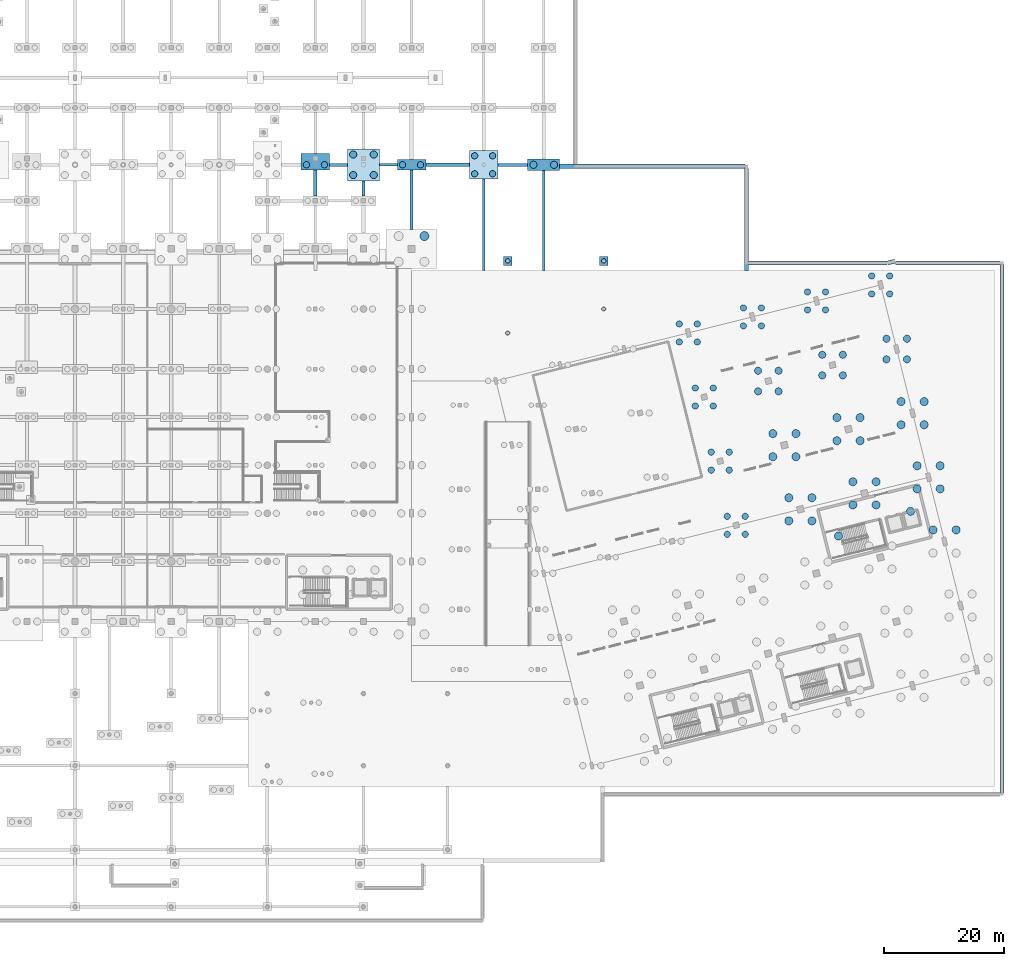
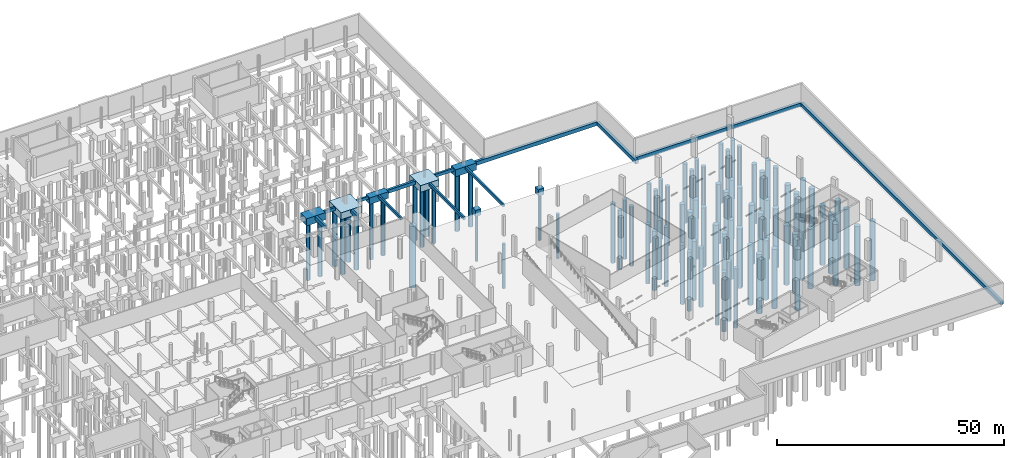
# One storey, part 11 of 65: 87 piles, 22 footings.
"""IFC4 building model written with IfcOpenShell, lengths in metres."""

from ifc_helpers import new_model, si_unit, direction, frame, origin, origin_2d, place, context, subcontext, project, spatial, rectangle, circle, extrude, material, material_profile, profile_set, type_object, element, save


model = new_model("IFC4")

# Units and contexts
model_context = context("Model", 3, precision=1e-05, world=origin(), true_north=direction((0.0, 1.0)))
body_context = subcontext(model_context, "Body", "Model", "MODEL_VIEW")
ifc_project = project(units=[si_unit("LENGTHUNIT", "METRE"), si_unit("AREAUNIT", "SQUARE_METRE"), si_unit("VOLUMEUNIT", "CUBIC_METRE"), si_unit("PLANEANGLEUNIT", "RADIAN"), si_unit("MASSUNIT", "GRAM", prefix="KILO")], contexts=[model_context])

# Site, building, storey
site_placement = place(None, origin())
site = spatial("IfcSite", under=ifc_project, at=site_placement, CompositionType="ELEMENT")
building_placement = place(site_placement, origin())
building = spatial("IfcBuilding", under=site, at=building_placement, Name="Khorjan Park Terminus", CompositionType="ELEMENT")
storey_placement = place(building_placement, frame((0.0, 0.0, -5.4)))
storey = spatial("IfcBuildingStorey", under=building, at=storey_placement, Name="B1", CompositionType="ELEMENT", Elevation=-5.4)

# Footings
ifc_material = material(Name="Concrete C40/50", Category="concrete")
ifc_material_profile_1 = material_profile(ifc_material, rectangle(XDim=0.45, YDim=0.75, at=origin_2d()), Name="RC 450x750")
ifc_profile_set_1 = profile_set([ifc_material_profile_1], Name="Concrete C40/50")
footing_type_1 = type_object("IfcFootingType", Name="FTG-GB-450x750", PredefinedType="FOOTING_BEAM", material=ifc_profile_set_1)
footing_1_placement = place(storey_placement, frame((130.66, 102.0, -0.375), z_axis=(1.0, 0.0, 0.0), x_axis=(0.0, 1.0, 0.0)))
element("IfcFooting", 1, at=footing_1_placement, inside=storey, type_object=footing_type_1, Name="Reinforced concrete ground tie beam FB-07 (104)", PredefinedType="FOOTING_BEAM", context=body_context, shape_type="SweptSolid", body=[
    extrude(rectangle(XDim=0.45, YDim=0.75, at=origin_2d()), origin(), (0.0, 0.0, 1.0), 2.969),
])
footing_2_placement = place(storey_placement, frame((136.0, 91.237, -0.375), z_axis=(0.0, 1.0, 0.0), x_axis=(-1.0, 0.0, 0.0)))
element("IfcFooting", 2, at=footing_2_placement, inside=storey, type_object=footing_type_1, Name="Reinforced concrete ground tie beam FB-07 (359)", PredefinedType="FOOTING_BEAM", context=body_context, shape_type="SweptSolid", body=[
    extrude(rectangle(XDim=0.45, YDim=0.75, at=origin_2d()), origin(), (0.0, 0.0, 1.0), 9.888),
])
footing_3_placement = place(storey_placement, frame((148.0, 84.377, -0.375), z_axis=(0.0, 1.0, 0.0), x_axis=(-1.0, 0.0, 0.0)))
element("IfcFooting", 3, at=footing_3_placement, inside=storey, type_object=footing_type_1, Name="Reinforced concrete ground tie beam FB-07 (365)", PredefinedType="FOOTING_BEAM", context=body_context, shape_type="SweptSolid", body=[
    extrude(rectangle(XDim=0.45, YDim=0.75, at=origin_2d()), origin(), (0.0, 0.0, 1.0), 15.252),
])
footing_4_placement = place(storey_placement, frame((158.0, 84.377, -0.375), z_axis=(0.0, 1.0, 0.0), x_axis=(-1.0, 0.0, 0.0)))
element("IfcFooting", 4, at=footing_4_placement, inside=storey, type_object=footing_type_1, Name="Reinforced concrete ground tie beam FB-07 (371)", PredefinedType="FOOTING_BEAM", context=body_context, shape_type="SweptSolid", body=[
    extrude(rectangle(XDim=0.45, YDim=0.75, at=origin_2d()), origin(), (0.0, 0.0, 1.0), 16.673),
])
ifc_material_profile_2 = material_profile(ifc_material, rectangle(XDim=0.5, YDim=0.8, at=origin_2d()), Name="RC 500x800")
ifc_profile_set_2 = profile_set([ifc_material_profile_2], Name="Concrete C40/50")
footing_type_2 = type_object("IfcFootingType", Name="FTG-GB-500x800", PredefinedType="FOOTING_BEAM", material=ifc_profile_set_2)
footing_5_placement = place(storey_placement, frame((122.371, 102.0, -0.4), z_axis=(1.0, 0.0, 0.0), x_axis=(0.0, 1.0, 0.0)))
element("IfcFooting", 5, at=footing_5_placement, inside=storey, type_object=footing_type_2, Name="Reinforced concrete ground tie beam FB-08 (103)", PredefinedType="FOOTING_BEAM", context=body_context, shape_type="SweptSolid", body=[
    extrude(rectangle(XDim=0.5, YDim=0.8, at=origin_2d()), origin(), (0.0, 0.0, 1.0), 2.969),
])
footing_6_placement = place(storey_placement, frame((150.371, 102.0, -0.4), z_axis=(1.0, 0.0, 0.0), x_axis=(0.0, 1.0, 0.0)))
element("IfcFooting", 6, at=footing_6_placement, inside=storey, type_object=footing_type_2, Name="Reinforced concrete ground tie beam FB-08 (106)", PredefinedType="FOOTING_BEAM", context=body_context, shape_type="SweptSolid", body=[
    extrude(rectangle(XDim=0.5, YDim=0.8, at=origin_2d()), origin(), (0.0, 0.0, 1.0), 4.969),
])
footing_7_placement = place(storey_placement, frame((128.0, 96.8, -0.4), z_axis=(0.0, 1.0, 0.0), x_axis=(-1.0, 0.0, 0.0)))
element("IfcFooting", 7, at=footing_7_placement, inside=storey, type_object=footing_type_2, Name="Reinforced concrete ground tie beam FB-08 (355)", PredefinedType="FOOTING_BEAM", context=body_context, shape_type="SweptSolid", body=[
    extrude(rectangle(XDim=0.5, YDim=0.8, at=origin_2d()), origin(), (0.0, 0.0, 1.0), 2.54),
])
ifc_material_profile_3 = material_profile(ifc_material, rectangle(XDim=0.6, YDim=0.9, at=origin_2d()), Name="RC 600x900")
ifc_profile_set_3 = profile_set([ifc_material_profile_3], Name="Concrete C40/50")
footing_type_3 = type_object("IfcFootingType", Name="FTG-GB-600x900", PredefinedType="FOOTING_BEAM", material=ifc_profile_set_3)
footing_8_placement = place(storey_placement, frame((138.371, 102.0, -0.45), z_axis=(1.0, 0.0, 0.0), x_axis=(0.0, 1.0, 0.0)))
element("IfcFooting", 8, at=footing_8_placement, inside=storey, type_object=footing_type_3, Name="Reinforced concrete ground tie beam FB-09 (105)", PredefinedType="FOOTING_BEAM", context=body_context, shape_type="SweptSolid", body=[
    extrude(rectangle(XDim=0.6, YDim=0.9, at=origin_2d()), origin(), (0.0, 0.0, 1.0), 7.258),
])
footing_9_placement = place(storey_placement, frame((120.0, 96.8, -0.45), z_axis=(0.0, 1.0, 0.0), x_axis=(-1.0, 0.0, 0.0)))
element("IfcFooting", 9, at=footing_9_placement, inside=storey, type_object=footing_type_3, Name="Reinforced concrete ground tie beam FB-09 (348)", PredefinedType="FOOTING_BEAM", context=body_context, shape_type="SweptSolid", body=[
    extrude(rectangle(XDim=0.6, YDim=0.9, at=origin_2d()), origin(), (0.0, 0.0, 1.0), 4.325),
])
footing_type_4 = type_object("IfcFootingType", Name="FTG-PC-15", PredefinedType="PILE_CAP", material=ifc_material)
footing_10_placement = place(storey_placement, frame((152.0, 86.0, -1.6), z_axis=(0.0, 0.0, 1.0), x_axis=(1.0, 0.0, 0.0)))
element("IfcFooting", 10, at=footing_10_placement, inside=storey, type_object=footing_type_4, Name="Reinforced concrete pile cap PC-15 (263)", PredefinedType="PILE_CAP", context=body_context, shape_type="SweptSolid", body=[
    extrude(rectangle(XDim=1.45, YDim=1.45, at=origin_2d()), origin(), (0.0, 0.0, 1.0), 1.6),
])
footing_type_5 = type_object("IfcFootingType", Name="FTG-PC-17", PredefinedType="PILE_CAP", material=ifc_material)
footing_11_placement = place(storey_placement, frame((168.0, 86.0, -1.72), z_axis=(0.0, 0.0, 1.0), x_axis=(1.0, 0.0, 0.0)))
element("IfcFooting", 11, at=footing_11_placement, inside=storey, type_object=footing_type_5, Name="Reinforced concrete pile cap PC-17 (270)", PredefinedType="PILE_CAP", context=body_context, shape_type="SweptSolid", body=[
    extrude(rectangle(XDim=1.45, YDim=1.45, at=origin_2d()), origin(), (0.0, 0.0, 1.0), 1.72),
])
footing_type_6 = type_object("IfcFootingType", Name="FTG-PC-26", PredefinedType="PILE_CAP", material=ifc_material)
footing_12_placement = place(storey_placement, frame((136.0, 102.0, -1.72), z_axis=(0.0, 0.0, 1.0), x_axis=(1.0, 0.0, 0.0)))
element("IfcFooting", 12, at=footing_12_placement, inside=storey, type_object=footing_type_6, Name="Reinforced concrete pile cap PC-26 (250)", PredefinedType="PILE_CAP", context=body_context, shape_type="SweptSolid", body=[
    extrude(rectangle(XDim=4.742, YDim=1.75, at=origin_2d()), origin(), (0.0, 0.0, 1.0), 1.72),
])
footing_type_7 = type_object("IfcFootingType", Name="FTG-PC-33", PredefinedType="PILE_CAP", material=ifc_material)
footing_13_placement = place(storey_placement, frame((148.0, 102.0, -1.78), z_axis=(0.0, 0.0, 1.0), x_axis=(1.0, 0.0, 0.0)))
element("IfcFooting", 13, at=footing_13_placement, inside=storey, type_object=footing_type_7, Name="Reinforced concrete pile cap PC-33 (257)", PredefinedType="PILE_CAP", context=body_context, shape_type="SweptSolid", body=[
    extrude(rectangle(XDim=4.742, YDim=4.742, at=origin_2d()), origin(), (0.0, 0.0, 1.0), 1.78),
])
footing_type_8 = type_object("IfcFootingType", Name="FTG-PC-34", PredefinedType="PILE_CAP", material=ifc_material)
footing_14_placement = place(storey_placement, frame((158.0, 102.0, -1.9), z_axis=(0.0, 0.0, 1.0), x_axis=(1.0, 0.0, 0.0)))
element("IfcFooting", 14, at=footing_14_placement, inside=storey, type_object=footing_type_8, Name="Reinforced concrete pile cap PC-34 (264)", PredefinedType="PILE_CAP", context=body_context, shape_type="SweptSolid", body=[
    extrude(rectangle(XDim=5.32, YDim=1.9, at=origin_2d()), origin(), (0.0, 0.0, 1.0), 1.9),
])
footing_type_9 = type_object("IfcFootingType", Name="FTG-PC-43", PredefinedType="PILE_CAP", material=ifc_material)
footing_15_placement = place(storey_placement, frame((120.0, 102.4925, -1.9), z_axis=(0.0, 0.0, 1.0), x_axis=(1.0, 0.0, 0.0)))
element("IfcFooting", 15, at=footing_15_placement, inside=storey, type_object=footing_type_9, Name="Reinforced concrete pile cap PC-43 (233)", PredefinedType="PILE_CAP", context=body_context, shape_type="SweptSolid", body=[
    extrude(rectangle(XDim=4.742, YDim=2.735, at=origin_2d()), origin(), (0.0, 0.0, 1.0), 1.9),
])
footing_type_10 = type_object("IfcFootingType", Name="FTG-PC-57", PredefinedType="PILE_CAP", material=ifc_material)
footing_16_placement = place(storey_placement, frame((128.0, 102.0, -1.84), z_axis=(0.0, 0.0, 1.0), x_axis=(1.0, 0.0, 0.0)))
element("IfcFooting", 16, at=footing_16_placement, inside=storey, type_object=footing_type_10, Name="Reinforced concrete pile cap PC-57 (240)", PredefinedType="PILE_CAP", context=body_context, shape_type="SweptSolid", body=[
    extrude(rectangle(XDim=5.32, YDim=5.32, at=origin_2d()), origin(), (0.0, 0.0, 1.0), 1.84),
])
ifc_material_profile_4 = material_profile(ifc_material, rectangle(XDim=0.7, YDim=1.0, at=origin_2d()), Name="RC 700x1000")
ifc_profile_set_4 = profile_set([ifc_material_profile_4], Name="Concrete C40/50")
footing_type_11 = type_object("IfcFootingType", Name="FTG-SF-700x1000", PredefinedType="STRIP_FOOTING", material=ifc_profile_set_4)
footing_17_placement = place(storey_placement, frame((160.663, 101.76, -0.5), z_axis=(1.0, 0.0, 0.0), x_axis=(0.0, 1.0, 0.0)))
element("IfcFooting", 17, at=footing_17_placement, inside=storey, type_object=footing_type_11, Name="Reinforced concrete wall strip footing SF-07 (18)", PredefinedType="STRIP_FOOTING", context=body_context, shape_type="SweptSolid", body=[
    extrude(rectangle(XDim=0.7, YDim=1.0, at=origin_2d()), origin(), (0.0, 0.0, 1.0), 30.857),
])
footing_18_placement = place(storey_placement, frame((191.76, 101.407, -0.5), z_axis=(0.0, -1.0, 0.0), x_axis=(1.0, 0.0, 0.0)))
element("IfcFooting", 18, at=footing_18_placement, inside=storey, type_object=footing_type_11, Name="Reinforced concrete wall strip footing SF-07 (19)", PredefinedType="STRIP_FOOTING", context=body_context, shape_type="SweptSolid", body=[
    extrude(rectangle(XDim=0.7, YDim=1.0, at=origin_2d()), origin(), (0.0, 0.0, 1.0), 17.027),
])
footing_19_placement = place(storey_placement, frame((215.1874, 85.6441, -0.5), z_axis=(0.970296344221, 0.241919417145, 0.0), x_axis=(-0.241919417145, 0.970296344221, 0.0)))
element("IfcFooting", 19, at=footing_19_placement, inside=storey, type_object=footing_type_11, Name="Reinforced concrete wall strip footing SF-07 (33)", PredefinedType="STRIP_FOOTING", context=body_context, shape_type="SweptSolid", body=[
    extrude(rectangle(XDim=0.7, YDim=1.0, at=origin_2d()), origin(), (0.0, 0.0, 1.0), 1.2984),
])
footing_20_placement = place(storey_placement, frame((234.249, 85.397, -0.5), z_axis=(0.0, -1.0, 0.0), x_axis=(1.0, 0.0, 0.0)))
element("IfcFooting", 20, at=footing_20_placement, inside=storey, type_object=footing_type_11, Name="Reinforced concrete wall strip footing SF-07 (43)", PredefinedType="STRIP_FOOTING", context=body_context, shape_type="SweptSolid", body=[
    extrude(rectangle(XDim=0.7, YDim=1.0, at=origin_2d()), origin(), (0.0, 0.0, 1.0), 87.909),
])
footing_21_placement = place(storey_placement, frame((192.113, 85.637, -0.5), z_axis=(1.0, 0.0, 0.0), x_axis=(0.0, 1.0, 0.0)))
element("IfcFooting", 21, at=footing_21_placement, inside=storey, type_object=footing_type_11, Name="Reinforced concrete wall strip footing SF-07 (50)", PredefinedType="STRIP_FOOTING", context=body_context, shape_type="SweptSolid", body=[
    extrude(rectangle(XDim=0.7, YDim=1.0, at=origin_2d()), origin(), (0.0, 0.0, 1.0), 22.9867),
])
footing_22_placement = place(storey_placement, frame((216.5349, 85.637, -0.5), z_axis=(1.0, 0.0, 0.0), x_axis=(0.0, 1.0, 0.0)))
element("IfcFooting", 22, at=footing_22_placement, inside=storey, type_object=footing_type_11, Name="Reinforced concrete wall strip footing SF-07 (53)", PredefinedType="STRIP_FOOTING", context=body_context, shape_type="SweptSolid", body=[
    extrude(rectangle(XDim=0.7, YDim=1.0, at=origin_2d()), origin(), (0.0, 0.0, 1.0), 17.3611),
])

# Piles
ifc_material_profile_5 = material_profile(ifc_material, circle(Radius=0.525, at=origin_2d()), Name="BORED D1050")
ifc_profile_set_5 = profile_set([ifc_material_profile_5], Name="Concrete C40/50")
pile_type_1 = type_object("IfcPileType", Name="PL-D1050", PredefinedType="BORED", material=ifc_profile_set_5)
for number, where, z_axis, x_axis, name in (
    (23, (188.5395, 40.5065, -2.14), (0.0, 0.0, -1.0), (1.0, 0.0, 0.0), "Bored rock-socketed pile PL-105 (623)"),
    (24, (188.5395, 43.4995, -2.14), (0.0, 0.0, -1.0), (1.0, 0.0, 0.0), "Bored rock-socketed pile PL-105 (624)"),
    (25, (191.5325, 40.5065, -2.14), (0.0, 0.0, -1.0), (1.0, 0.0, 0.0), "Bored rock-socketed pile PL-105 (625)"),
    (26, (191.5325, 43.4995, -2.14), (0.0, 0.0, -1.0), (1.0, 0.0, 0.0), "Bored rock-socketed pile PL-105 (626)"),
    (27, (185.8785, 51.1795, -2.14), (0.0, 0.0, -1.0), (1.0, 0.0, 0.0), "Bored rock-socketed pile PL-105 (629)"),
    (28, (185.8785, 54.1725, -2.14), (0.0, 0.0, -1.0), (1.0, 0.0, 0.0), "Bored rock-socketed pile PL-105 (630)"),
    (29, (188.8715, 51.1795, -2.14), (0.0, 0.0, -1.0), (1.0, 0.0, 0.0), "Bored rock-socketed pile PL-105 (631)"),
    (30, (188.8715, 54.1725, -2.14), (0.0, 0.0, -1.0), (1.0, 0.0, 0.0), "Bored rock-socketed pile PL-105 (632)"),
    (31, (183.2175, 61.8535, -2.14), (0.0, 0.0, -1.0), (1.0, 0.0, 0.0), "Bored rock-socketed pile PL-105 (635)"),
    (32, (183.2175, 64.8465, -2.14), (0.0, 0.0, -1.0), (1.0, 0.0, 0.0), "Bored rock-socketed pile PL-105 (636)"),
    (33, (186.2105, 61.8535, -2.14), (0.0, 0.0, -1.0), (1.0, 0.0, 0.0), "Bored rock-socketed pile PL-105 (637)"),
    (34, (186.2105, 64.8465, -2.14), (0.0, 0.0, -1.0), (1.0, 0.0, 0.0), "Bored rock-socketed pile PL-105 (638)"),
    (35, (180.5565, 72.5265, -2.14), (0.0, 0.0, -1.0), (1.0, 0.0, 0.0), "Bored rock-socketed pile PL-105 (657)"),
    (36, (180.5565, 75.5195, -2.14), (0.0, 0.0, -1.0), (1.0, 0.0, 0.0), "Bored rock-socketed pile PL-105 (658)"),
    (37, (183.5495, 72.5265, -2.14), (0.0, 0.0, -1.0), (1.0, 0.0, 0.0), "Bored rock-socketed pile PL-105 (659)"),
    (38, (183.5495, 75.5195, -2.14), (0.0, 0.0, -1.0), (1.0, 0.0, 0.0), "Bored rock-socketed pile PL-105 (660)"),
    (39, (191.2295, 75.1875, -2.14), (0.0, 0.0, -1.0), (1.0, 0.0, 0.0), "Bored rock-socketed pile PL-105 (661)"),
    (40, (191.2295, 78.1805, -2.14), (0.0, 0.0, -1.0), (1.0, 0.0, 0.0), "Bored rock-socketed pile PL-105 (662)"),
    (41, (194.2225, 75.1875, -2.14), (0.0, 0.0, -1.0), (1.0, 0.0, 0.0), "Bored rock-socketed pile PL-105 (663)"),
    (42, (194.2225, 78.1805, -2.14), (0.0, 0.0, -1.0), (1.0, 0.0, 0.0), "Bored rock-socketed pile PL-105 (664)"),
    (43, (201.9025, 77.8485, -2.14), (0.0, 0.0, -1.0), (1.0, 0.0, 0.0), "Bored rock-socketed pile PL-105 (669)"),
    (44, (201.9025, 80.8415, -2.14), (0.0, 0.0, -1.0), (1.0, 0.0, 0.0), "Bored rock-socketed pile PL-105 (670)"),
    (45, (204.8955, 77.8485, -2.14), (0.0, 0.0, -1.0), (1.0, 0.0, 0.0), "Bored rock-socketed pile PL-105 (671)"),
    (46, (204.8955, 80.8415, -2.14), (0.0, 0.0, -1.0), (1.0, 0.0, 0.0), "Bored rock-socketed pile PL-105 (672)"),
    (47, (212.5765, 80.5095, -2.14), (0.0, 0.0, -1.0), (1.0, 0.0, 0.0), "Bored rock-socketed pile PL-105 (673)"),
    (48, (212.5765, 83.5025, -2.14), (0.0, 0.0, -1.0), (1.0, 0.0, 0.0), "Bored rock-socketed pile PL-105 (674)"),
    (49, (215.5695, 80.5095, -2.14), (0.0, 0.0, -1.0), (1.0, 0.0, 0.0), "Bored rock-socketed pile PL-105 (675)"),
    (50, (215.5695, 83.5025, -2.14), (0.0, 0.0, -1.0), (1.0, 0.0, 0.0), "Bored rock-socketed pile PL-105 (676)"),
):
    element("IfcPile", number, at=place(storey_placement, frame(where, z_axis=z_axis, x_axis=x_axis)), inside=storey, type_object=pile_type_1, Name=name, PredefinedType="BORED", context=body_context, shape_type="SweptSolid", body=[
        extrude(circle(Radius=0.525, at=origin_2d()), origin(), (0.0, 0.0, 1.0), 15.96),
    ])
for number, where, z_axis, x_axis, name in (
    (51, (118.5035, 102.0, -1.8), (0.0, 0.0, -1.0), (1.0, 0.0, 0.0), "Bored rock-socketed pile PL-105 (775)"),
    (52, (121.4965, 102.0, -1.8), (0.0, 0.0, -1.0), (1.0, 0.0, 0.0), "Bored rock-socketed pile PL-105 (776)"),
):
    element("IfcPile", number, at=place(storey_placement, frame(where, z_axis=z_axis, x_axis=x_axis)), inside=storey, type_object=pile_type_1, Name=name, PredefinedType="BORED", context=body_context, shape_type="SweptSolid", body=[
        extrude(circle(Radius=0.525, at=origin_2d()), origin(), (0.0, 0.0, 1.0), 15.3),
    ])
for number, where, z_axis, x_axis, name in (
    (53, (134.5035, 102.0, -1.62), (0.0, 0.0, -1.0), (1.0, 0.0, 0.0), "Bored rock-socketed pile PL-105 (817)"),
    (54, (137.4965, 102.0, -1.62), (0.0, 0.0, -1.0), (1.0, 0.0, 0.0), "Bored rock-socketed pile PL-105 (818)"),
):
    element("IfcPile", number, at=place(storey_placement, frame(where, z_axis=z_axis, x_axis=x_axis)), inside=storey, type_object=pile_type_1, Name=name, PredefinedType="BORED", context=body_context, shape_type="SweptSolid", body=[
        extrude(circle(Radius=0.525, at=origin_2d()), origin(), (0.0, 0.0, 1.0), 15.48),
    ])
for number, where, z_axis, x_axis, name in (
    (55, (146.5035, 100.5035, -1.68), (0.0, 0.0, -1.0), (1.0, 0.0, 0.0), "Bored rock-socketed pile PL-105 (830)"),
    (56, (146.5035, 103.4965, -1.68), (0.0, 0.0, -1.0), (1.0, 0.0, 0.0), "Bored rock-socketed pile PL-105 (831)"),
    (57, (149.4965, 100.5035, -1.68), (0.0, 0.0, -1.0), (1.0, 0.0, 0.0), "Bored rock-socketed pile PL-105 (832)"),
    (58, (149.4965, 103.4965, -1.68), (0.0, 0.0, -1.0), (1.0, 0.0, 0.0), "Bored rock-socketed pile PL-105 (833)"),
):
    element("IfcPile", number, at=place(storey_placement, frame(where, z_axis=z_axis, x_axis=x_axis)), inside=storey, type_object=pile_type_1, Name=name, PredefinedType="BORED", context=body_context, shape_type="SweptSolid", body=[
        extrude(circle(Radius=0.525, at=origin_2d()), origin(), (0.0, 0.0, 1.0), 15.42),
    ])
ifc_material_profile_6 = material_profile(ifc_material, circle(Radius=0.6, at=origin_2d()), Name="BORED D1200")
ifc_profile_set_6 = profile_set([ifc_material_profile_6], Name="Concrete C40/50")
pile_type_2 = type_object("IfcPileType", Name="PL-D1200", PredefinedType="BORED", material=ifc_profile_set_6)
for number, where, z_axis, x_axis, name in (
    (59, (193.677, 64.301, -2.14), (0.0, 0.0, -1.0), (1.0, 0.0, 0.0), "Bored rock-socketed pile PL-120 (589)"),
    (60, (193.677, 67.721, -2.14), (0.0, 0.0, -1.0), (1.0, 0.0, 0.0), "Bored rock-socketed pile PL-120 (590)"),
    (61, (197.097, 64.301, -2.14), (0.0, 0.0, -1.0), (1.0, 0.0, 0.0), "Bored rock-socketed pile PL-120 (591)"),
    (62, (197.097, 67.721, -2.14), (0.0, 0.0, -1.0), (1.0, 0.0, 0.0), "Bored rock-socketed pile PL-120 (592)"),
    (63, (204.351, 66.962, -2.14), (0.0, 0.0, -1.0), (1.0, 0.0, 0.0), "Bored rock-socketed pile PL-120 (593)"),
    (64, (204.351, 70.382, -2.14), (0.0, 0.0, -1.0), (1.0, 0.0, 0.0), "Bored rock-socketed pile PL-120 (594)"),
    (65, (207.771, 66.962, -2.14), (0.0, 0.0, -1.0), (1.0, 0.0, 0.0), "Bored rock-socketed pile PL-120 (595)"),
    (66, (207.771, 70.382, -2.14), (0.0, 0.0, -1.0), (1.0, 0.0, 0.0), "Bored rock-socketed pile PL-120 (596)"),
    (67, (215.024, 69.623, -2.14), (0.0, 0.0, -1.0), (1.0, 0.0, 0.0), "Bored rock-socketed pile PL-120 (607)"),
    (68, (215.024, 73.043, -2.14), (0.0, 0.0, -1.0), (1.0, 0.0, 0.0), "Bored rock-socketed pile PL-120 (608)"),
    (69, (218.444, 69.623, -2.14), (0.0, 0.0, -1.0), (1.0, 0.0, 0.0), "Bored rock-socketed pile PL-120 (609)"),
    (70, (218.444, 73.043, -2.14), (0.0, 0.0, -1.0), (1.0, 0.0, 0.0), "Bored rock-socketed pile PL-120 (610)"),
):
    element("IfcPile", number, at=place(storey_placement, frame(where, z_axis=z_axis, x_axis=x_axis)), inside=storey, type_object=pile_type_2, Name=name, PredefinedType="BORED", context=body_context, shape_type="SweptSolid", body=[
        extrude(circle(Radius=0.6, at=origin_2d()), origin(), (0.0, 0.0, 1.0), 15.96),
    ])
for number, where, z_axis, x_axis, name in (
    (71, (126.29, 100.29, -1.74), (0.0, 0.0, -1.0), (1.0, 0.0, 0.0), "Bored rock-socketed pile PL-120 (797)"),
    (72, (126.29, 103.71, -1.74), (0.0, 0.0, -1.0), (1.0, 0.0, 0.0), "Bored rock-socketed pile PL-120 (798)"),
    (73, (129.71, 100.29, -1.74), (0.0, 0.0, -1.0), (1.0, 0.0, 0.0), "Bored rock-socketed pile PL-120 (799)"),
    (74, (129.71, 103.71, -1.74), (0.0, 0.0, -1.0), (1.0, 0.0, 0.0), "Bored rock-socketed pile PL-120 (800)"),
):
    element("IfcPile", number, at=place(storey_placement, frame(where, z_axis=z_axis, x_axis=x_axis)), inside=storey, type_object=pile_type_2, Name=name, PredefinedType="BORED", context=body_context, shape_type="SweptSolid", body=[
        extrude(circle(Radius=0.6, at=origin_2d()), origin(), (0.0, 0.0, 1.0), 15.36),
    ])
for number, where, z_axis, x_axis, name in (
    (75, (156.29, 102.0, -1.8), (0.0, 0.0, -1.0), (1.0, 0.0, 0.0), "Bored rock-socketed pile PL-120 (847)"),
    (76, (159.71, 102.0, -1.8), (0.0, 0.0, -1.0), (1.0, 0.0, 0.0), "Bored rock-socketed pile PL-120 (848)"),
):
    element("IfcPile", number, at=place(storey_placement, frame(where, z_axis=z_axis, x_axis=x_axis)), inside=storey, type_object=pile_type_2, Name=name, PredefinedType="BORED", context=body_context, shape_type="SweptSolid", body=[
        extrude(circle(Radius=0.6, at=origin_2d()), origin(), (0.0, 0.0, 1.0), 15.3),
    ])
ifc_material_profile_7 = material_profile(ifc_material, circle(Radius=0.675, at=origin_2d()), Name="BORED D1350")
ifc_profile_set_7 = profile_set([ifc_material_profile_7], Name="Concrete C40/50")
pile_type_3 = type_object("IfcPileType", Name="PL-D1350", PredefinedType="BORED", material=ifc_profile_set_7)
for number, where, z_axis, x_axis, name in (
    (77, (198.786, 42.74, -2.14), (0.0, 0.0, -1.0), (1.0, 0.0, 0.0), "Bored rock-socketed pile PL-135 (528)"),
    (78, (198.786, 46.588, -2.14), (0.0, 0.0, -1.0), (1.0, 0.0, 0.0), "Bored rock-socketed pile PL-135 (529)"),
    (79, (202.634, 42.74, -2.14), (0.0, 0.0, -1.0), (1.0, 0.0, 0.0), "Bored rock-socketed pile PL-135 (530)"),
    (80, (202.634, 46.588, -2.14), (0.0, 0.0, -1.0), (1.0, 0.0, 0.0), "Bored rock-socketed pile PL-135 (531)"),
    (81, (209.459, 45.401, -2.14), (0.0, 0.0, -1.0), (1.0, 0.0, 0.0), "Bored rock-socketed pile PL-135 (544)"),
    (82, (209.459, 49.249, -2.14), (0.0, 0.0, -1.0), (1.0, 0.0, 0.0), "Bored rock-socketed pile PL-135 (545)"),
    (83, (213.307, 45.401, -2.14), (0.0, 0.0, -1.0), (1.0, 0.0, 0.0), "Bored rock-socketed pile PL-135 (546)"),
    (84, (213.307, 49.249, -2.14), (0.0, 0.0, -1.0), (1.0, 0.0, 0.0), "Bored rock-socketed pile PL-135 (547)"),
    (85, (196.124, 53.414, -2.14), (0.0, 0.0, -1.0), (1.0, 0.0, 0.0), "Bored rock-socketed pile PL-135 (548)"),
    (86, (196.124, 57.262, -2.14), (0.0, 0.0, -1.0), (1.0, 0.0, 0.0), "Bored rock-socketed pile PL-135 (549)"),
    (87, (199.972, 53.414, -2.14), (0.0, 0.0, -1.0), (1.0, 0.0, 0.0), "Bored rock-socketed pile PL-135 (550)"),
    (88, (199.972, 57.262, -2.14), (0.0, 0.0, -1.0), (1.0, 0.0, 0.0), "Bored rock-socketed pile PL-135 (551)"),
    (89, (206.798, 56.075, -2.14), (0.0, 0.0, -1.0), (1.0, 0.0, 0.0), "Bored rock-socketed pile PL-135 (552)"),
    (90, (206.798, 59.923, -2.14), (0.0, 0.0, -1.0), (1.0, 0.0, 0.0), "Bored rock-socketed pile PL-135 (553)"),
    (91, (210.646, 56.075, -2.14), (0.0, 0.0, -1.0), (1.0, 0.0, 0.0), "Bored rock-socketed pile PL-135 (554)"),
    (92, (210.646, 59.923, -2.14), (0.0, 0.0, -1.0), (1.0, 0.0, 0.0), "Bored rock-socketed pile PL-135 (555)"),
    (93, (222.793, 41.237, -2.14), (0.0, 0.0, -1.0), (1.0, 0.0, 0.0), "Bored rock-socketed pile PL-135 (557)"),
    (94, (226.641, 41.237, -2.14), (0.0, 0.0, -1.0), (1.0, 0.0, 0.0), "Bored rock-socketed pile PL-135 (559)"),
    (95, (220.132, 48.063, -2.14), (0.0, 0.0, -1.0), (1.0, 0.0, 0.0), "Bored rock-socketed pile PL-135 (568)"),
    (96, (220.132, 51.911, -2.14), (0.0, 0.0, -1.0), (1.0, 0.0, 0.0), "Bored rock-socketed pile PL-135 (569)"),
    (97, (223.98, 48.063, -2.14), (0.0, 0.0, -1.0), (1.0, 0.0, 0.0), "Bored rock-socketed pile PL-135 (570)"),
    (98, (223.98, 51.911, -2.14), (0.0, 0.0, -1.0), (1.0, 0.0, 0.0), "Bored rock-socketed pile PL-135 (571)"),
    (99, (217.471, 58.736, -2.14), (0.0, 0.0, -1.0), (1.0, 0.0, 0.0), "Bored rock-socketed pile PL-135 (572)"),
    (100, (217.471, 62.584, -2.14), (0.0, 0.0, -1.0), (1.0, 0.0, 0.0), "Bored rock-socketed pile PL-135 (573)"),
    (101, (221.319, 58.736, -2.14), (0.0, 0.0, -1.0), (1.0, 0.0, 0.0), "Bored rock-socketed pile PL-135 (574)"),
    (102, (221.319, 62.584, -2.14), (0.0, 0.0, -1.0), (1.0, 0.0, 0.0), "Bored rock-socketed pile PL-135 (575)"),
):
    element("IfcPile", number, at=place(storey_placement, frame(where, z_axis=z_axis, x_axis=x_axis)), inside=storey, type_object=pile_type_3, Name=name, PredefinedType="BORED", context=body_context, shape_type="SweptSolid", body=[
        extrude(circle(Radius=0.675, at=origin_2d()), origin(), (0.0, 0.0, 1.0), 15.96),
    ])
for number, where, z_axis, x_axis, name in (
    (103, (207.053, 40.23, -2.14), (0.0, 0.0, -1.0), (1.0, 0.0, 0.0), "Bored rock-socketed pile PL-135 (576)"),
    (104, (219.053, 44.33, -2.14), (0.0, 0.0, -1.0), (1.0, 0.0, 0.0), "Bored rock-socketed pile PL-135 (577)"),
):
    element("IfcPile", number, at=place(storey_placement, frame(where, z_axis=z_axis, x_axis=x_axis)), inside=storey, type_object=pile_type_3, Name=name, PredefinedType="BORED", context=body_context, shape_type="SweptSolid", body=[
        extrude(circle(Radius=0.675, at=origin_2d()), origin(), (0.0, 0.0, 1.0), 16.46),
    ])
ifc_material_profile_8 = material_profile(ifc_material, circle(Radius=0.75, at=origin_2d()), Name="BORED D1500")
ifc_profile_set_8 = profile_set([ifc_material_profile_8], Name="Concrete C40/50")
pile_type_4 = type_object("IfcPileType", Name="PL-D1500", PredefinedType="BORED", material=ifc_profile_set_8)
pile_1_placement = place(storey_placement, frame((138.1375, 90.1375, -2.04), z_axis=(0.0, 0.0, -1.0), x_axis=(1.0, 0.0, 0.0)))
element("IfcPile", 105, at=pile_1_placement, inside=storey, type_object=pile_type_4, Name="Bored rock-socketed pile PL-150 (816)", PredefinedType="BORED", context=body_context, shape_type="SweptSolid", body=[
    extrude(circle(Radius=0.75, at=origin_2d()), origin(), (0.0, 0.0, 1.0), 16.56),
])
ifc_material_profile_9 = material_profile(ifc_material, circle(Radius=0.375, at=origin_2d()), Name="BORED D750")
ifc_profile_set_9 = profile_set([ifc_material_profile_9], Name="Concrete C40/50")
pile_type_5 = type_object("IfcPileType", Name="PL-D750", PredefinedType="BORED", material=ifc_profile_set_9)
for number, where, z_axis, x_axis, name in (
    (106, (152.0, 74.0, -2.14), (0.0, 0.0, -1.0), (1.0, 0.0, 0.0), "Bored rock-socketed pile PL-75 (737)"),
    (107, (168.0, 78.0, -2.14), (0.0, 0.0, -1.0), (1.0, 0.0, 0.0), "Bored rock-socketed pile PL-75 (738)"),
):
    element("IfcPile", number, at=place(storey_placement, frame(where, z_axis=z_axis, x_axis=x_axis)), inside=storey, type_object=pile_type_5, Name=name, PredefinedType="BORED", context=body_context, shape_type="SweptSolid", body=[
        extrude(circle(Radius=0.375, at=origin_2d()), origin(), (0.0, 0.0, 1.0), 11.96),
    ])
pile_2_placement = place(storey_placement, frame((152.0, 86.0, -1.5), z_axis=(0.0, 0.0, -1.0), x_axis=(1.0, 0.0, 0.0)))
element("IfcPile", 108, at=pile_2_placement, inside=storey, type_object=pile_type_5, Name="Bored rock-socketed pile PL-75 (846)", PredefinedType="BORED", context=body_context, shape_type="SweptSolid", body=[
    extrude(circle(Radius=0.375, at=origin_2d()), origin(), (0.0, 0.0, 1.0), 12.6),
])
pile_3_placement = place(storey_placement, frame((168.0, 86.0, -1.62), z_axis=(0.0, 0.0, -1.0), x_axis=(1.0, 0.0, 0.0)))
element("IfcPile", 109, at=pile_3_placement, inside=storey, type_object=pile_type_5, Name="Bored rock-socketed pile PL-75 (859)", PredefinedType="BORED", context=body_context, shape_type="SweptSolid", body=[
    extrude(circle(Radius=0.375, at=origin_2d()), origin(), (0.0, 0.0, 1.0), 12.48),
])

save(model, "model.ifc")
